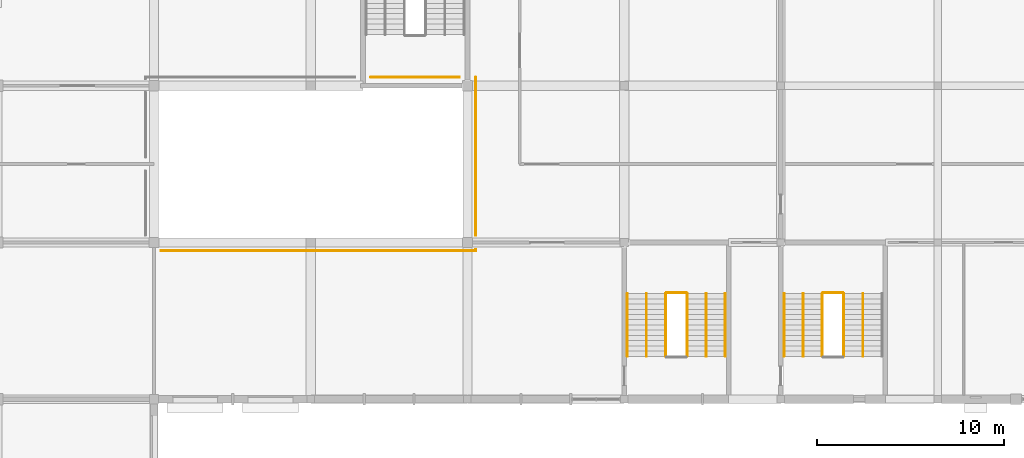
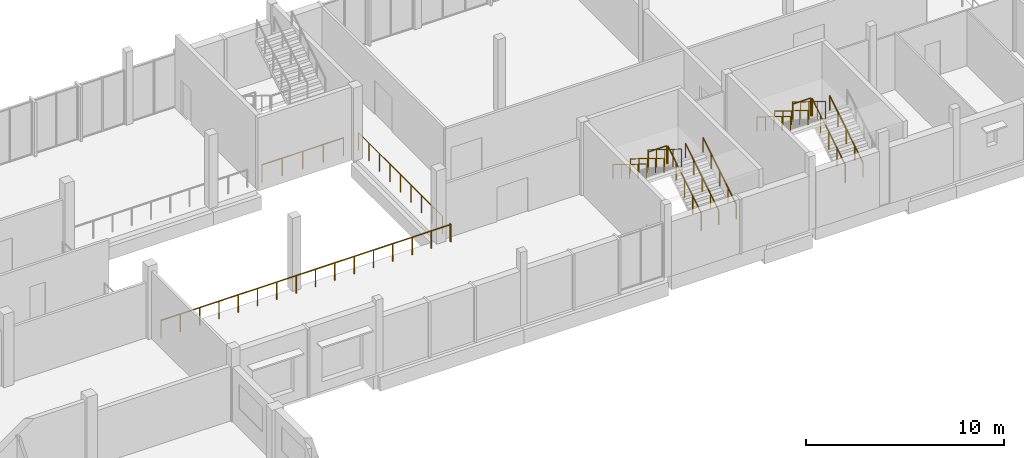
# One storey, part 112 of 116: 16 railings.
"""IFC4 building model written with IfcOpenShell, lengths in metres."""

import ifcopenshell
import ifcopenshell.guid

model = None  # the IFC model being written
_history = None  # IfcOwnerHistory: only IFC2X3 demands one
_inside = {}  # id of a spatial element -> (the spatial element, [elements in it])
_under = {}  # id of a project, library or spatial element -> (it, [spatial elements below it])
_declared = {}  # id of a project -> (the project, [libraries it declares])
_typed = {}  # id of a type object -> (the type object, [elements of that type])
_made_of = {}  # id of a material, layer set ... -> (it, [elements and type objects made of it])


def new_model(schema):
    """Start an empty IFC model of exactly this schema.

    Asked for "IFC4X3", IfcOpenShell would pick the latest addendum, in which some entities
    have other attributes; the version numbers below select the first issue.
    IFC2X3 requires an IfcOwnerHistory on every rooted entity: one is made here for all.
    """
    global model, _history
    if schema == "IFC4X3":
        model = ifcopenshell.file(schema_version=(4, 3, 0, 0))
    else:
        model = ifcopenshell.file(schema=schema)
    _inside.clear()
    _under.clear()
    _declared.clear()
    _typed.clear()
    _made_of.clear()
    _history = None
    if model.schema == "IFC2X3":
        org = make("IfcOrganization", Name="unknown")
        user = make(
            "IfcPersonAndOrganization",
            ThePerson=make("IfcPerson", FamilyName="unknown"),
            TheOrganization=org,
        )
        app = make(
            "IfcApplication",
            ApplicationDeveloper=org,
            Version="unknown",
            ApplicationFullName="unknown",
            ApplicationIdentifier="unknown",
        )
        _history = make(
            "IfcOwnerHistory",
            OwningUser=user,
            OwningApplication=app,
            ChangeAction="ADDED",
            CreationDate=0,
        )
    return model


def make(cls, **values):
    """One entity of the class cls with the attributes given. An attribute that is None is left unset."""
    return model.create_entity(
        cls, **{name: value for name, value in values.items() if value is not None}
    )


def rooted(cls, **values):
    """An entity with a GlobalId (a new one), such as an element, a storey or a relation."""
    return make(cls, GlobalId=ifcopenshell.guid.new(), OwnerHistory=_history, **values)


def si_unit(unit_type, name, prefix=None):
    """IfcSIUnit, for example si_unit("LENGTHUNIT", "METRE", prefix="MILLI")."""
    return make("IfcSIUnit", UnitType=unit_type, Prefix=prefix, Name=name)


def assignment(units):
    """IfcUnitAssignment: the units of a project."""
    return None if units is None else make("IfcUnitAssignment", Units=units)


def point(xyz):
    """IfcCartesianPoint."""
    return None if xyz is None else make("IfcCartesianPoint", Coordinates=xyz)


def direction(xyz):
    """IfcDirection."""
    return None if xyz is None else make("IfcDirection", DirectionRatios=xyz)


def frame(location, z_axis=None, x_axis=None):
    """IfcAxis2Placement3D, a coordinate frame: its origin and axes. An axis left out is left unset."""
    return make(
        "IfcAxis2Placement3D",
        Location=point(location),
        Axis=direction(z_axis),
        RefDirection=direction(x_axis),
    )


def frame_2d(location, x_axis=None):
    """IfcAxis2Placement2D, a coordinate frame in the plane: its origin and x axis."""
    return make(
        "IfcAxis2Placement2D", Location=point(location), RefDirection=direction(x_axis)
    )


def origin():
    """The frame at (0, 0, 0) with its axes left unset."""
    return frame((0.0, 0.0, 0.0))


def origin_2d():
    """The frame at (0, 0) in the plane with its x axis left unset."""
    return frame_2d((0.0, 0.0))


def place(relative_to, where):
    """IfcLocalPlacement: puts the frame where relative to a parent placement (None: the world)."""
    return make(
        "IfcLocalPlacement", PlacementRelTo=relative_to, RelativePlacement=where
    )


def context(
    kind, dimensions, precision=None, world=None, true_north=None, identifier=None
):
    """IfcGeometricRepresentationContext, for example the 3D "Model" context."""
    return make(
        "IfcGeometricRepresentationContext",
        ContextIdentifier=identifier,
        ContextType=kind,
        CoordinateSpaceDimension=dimensions,
        Precision=precision,
        WorldCoordinateSystem=world,
        TrueNorth=true_north,
    )


def subcontext(parent, identifier, kind, view, scale=None):
    """IfcGeometricRepresentationSubContext, for example "Body" below "Model"."""
    return make(
        "IfcGeometricRepresentationSubContext",
        ContextIdentifier=identifier,
        ContextType=kind,
        ParentContext=parent,
        TargetScale=scale,
        TargetView=view,
    )


def project(units=None, contexts=None):
    """IfcProject with its units and contexts."""
    return rooted(
        "IfcProject",
        Name="project",
        RepresentationContexts=contexts,
        UnitsInContext=assignment(units),
    )


def spatial(cls, under=None, at=None, **own):
    """A site, building, storey or space (cls), placed at a placement, below another one or the project."""
    s = rooted(cls, ObjectPlacement=at, **own)
    if under is not None:
        _under.setdefault(under.id(), (under, []))[1].append(s)
    return s


def profile(cls, at=None, kind="AREA", **sizes):
    """A parametric profile (cls). Its sizes go by their IFC names, for example OverallWidth=200.0."""
    return make(cls, ProfileType=kind, Position=at, **sizes)


def circle(**sizes):
    """IfcCircleProfileDef."""
    return profile("IfcCircleProfileDef", **sizes)


def extrude(swept, where, along, depth):
    """IfcExtrudedAreaSolid: the profile swept, set in the frame where, extruded along a direction by depth."""
    return make(
        "IfcExtrudedAreaSolid",
        SweptArea=swept,
        Position=where,
        ExtrudedDirection=direction(along),
        Depth=depth,
    )


def shape(context_of_items, identifier, shape_type, items):
    """IfcShapeRepresentation: the items that make up one representation, for example the "Body"."""
    return make(
        "IfcShapeRepresentation",
        ContextOfItems=context_of_items,
        RepresentationIdentifier=identifier,
        RepresentationType=shape_type,
        Items=items,
    )


def material(Name=None, Category=None):
    """IfcMaterial."""
    return make("IfcMaterial", Name=Name, Category=Category)


def made_of(thing, what):
    """Note that an element or type object is made of a material, layer set ...; save() writes the relation."""
    if what is not None:
        _made_of.setdefault(what.id(), (what, []))[1].append(thing)
    return thing


def type_object(cls, material=None, **own):
    """A type object (cls), such as IfcWallType, which elements share."""
    return made_of(rooted(cls, **own), material)


def element(
    cls,
    number,
    at=None,
    inside=None,
    cuts=None,
    type_object=None,
    material=None,
    context=None,
    identifier="Body",
    shape_type=None,
    held_by="IfcProductDefinitionShape",
    body=None,
    shapes=None,
    **own,
):
    """One element of the class cls, such as IfcWall. Its Tag is "e" and its number.

    at: its placement. inside: the storey or other place that contains it. cuts: it is an
    opening in that element (IfcRelVoidsElement). A single representation is given by context,
    identifier, shape_type and body (its items); several are given by shapes. held_by: the class
    of the entity that holds the representations. save() writes the other relations.
    """
    e = rooted(cls, Tag="e%d" % number, ObjectPlacement=at, **own)
    if body is not None:
        shapes = [shape(context, identifier, shape_type, body)]
    if shapes is not None:
        e.Representation = make(held_by, Representations=shapes)
    if inside is not None:
        _inside.setdefault(inside.id(), (inside, []))[1].append(e)
    if cuts is not None:
        rooted(
            "IfcRelVoidsElement", RelatingBuildingElement=cuts, RelatedOpeningElement=e
        )
    if type_object is not None:
        _typed.setdefault(type_object.id(), (type_object, []))[1].append(e)
    return made_of(e, material)


def aggregate(whole, parts):
    """IfcRelAggregates: a whole, such as a stair, and the parts it consists of."""
    return rooted("IfcRelAggregates", RelatingObject=whole, RelatedObjects=parts)


def save(model, path):
    """Write the relations noted so far, then the file.

    IfcRelAggregates (storeys below a building ...), IfcRelContainedInSpatialStructure (elements
    in a storey), IfcRelDefinesByType, IfcRelAssociatesMaterial and IfcRelDeclares: one each for
    every whole, place, type object, material and project.
    """
    for whole, parts in _under.values():
        aggregate(whole, parts)
    for where, things in _inside.values():
        rooted(
            "IfcRelContainedInSpatialStructure",
            RelatedElements=things,
            RelatingStructure=where,
        )
    for kind, things in _typed.values():
        rooted("IfcRelDefinesByType", RelatedObjects=things, RelatingType=kind)
    for what, things in _made_of.values():
        rooted("IfcRelAssociatesMaterial", RelatedObjects=things, RelatingMaterial=what)
    for by, libraries in _declared.values():
        rooted("IfcRelDeclares", RelatingContext=by, RelatedDefinitions=libraries)
    model.write(path)


model = new_model("IFC4")

# Units and contexts
model_context = context("Model", 3, precision=1e-05, world=origin(), true_north=direction((0.0, 1.0)))
body_context = subcontext(model_context, "Body", "Model", "MODEL_VIEW")
ifc_project = project(units=[si_unit("LENGTHUNIT", "METRE"), si_unit("AREAUNIT", "SQUARE_METRE"), si_unit("VOLUMEUNIT", "CUBIC_METRE"), si_unit("PLANEANGLEUNIT", "RADIAN"), si_unit("MASSUNIT", "GRAM", prefix="KILO")], contexts=[model_context])

# Site, building, storey
site_placement = place(None, origin())
site = spatial("IfcSite", under=ifc_project, at=site_placement, CompositionType="ELEMENT")
building_placement = place(site_placement, origin())
building = spatial("IfcBuilding", under=site, at=building_placement, Name="Fescue Hill Polytechnic", CompositionType="ELEMENT")
storey_placement = place(building_placement, frame((0.0, 0.0, 13.5)))
storey = spatial("IfcBuildingStorey", under=building, at=storey_placement, Name="L03", CompositionType="ELEMENT", Elevation=13.5)

# Railings
ifc_material = material(Name="Steel 350W (350 MPa)", Category="steel")
railing_type_1 = type_object("IfcRailingType", Name="Stair guard steel 1100", PredefinedType="GUARDRAIL", material=ifc_material)
railing_1_placement = place(storey_placement, frame((53.77490234375, 111.5, 0.173095703125)))
element("IfcRailing", 1, at=railing_1_placement, inside=storey, type_object=railing_type_1, Name="L03 ST-V5-4 stair guard 1", PredefinedType="GUARDRAIL", context=body_context, shape_type="SweptSolid", body=[
    extrude(circle(Radius=0.02392578125, at=origin_2d()), frame((0.0, 0.0, 1.076171875), z_axis=(0.0, 0.850623216509, 0.525775754039), x_axis=(-1.0, 0.0, 0.0)), (0.0, 0.0, 1.0), 3.9501953125),
    extrude(circle(Radius=0.02099609375, at=origin_2d()), origin(), (0.0, 0.0, 1.0), 1.052001953125),
    extrude(circle(Radius=0.02099609375, at=origin_2d()), frame((0.0, 0.840087890625, 0.519287109375)), (0.0, 0.0, 1.0), 1.052001953125),
    extrude(circle(Radius=0.02099609375, at=origin_2d()), frame((0.0, 1.68017578125, 1.03857421875)), (0.0, 0.0, 1.0), 1.052001953125),
    extrude(circle(Radius=0.02099609375, at=origin_2d()), frame((0.0, 2.52001953125, 1.5576171875)), (0.0, 0.0, 1.0), 1.052001953125),
    extrude(circle(Radius=0.02099609375, at=origin_2d()), frame((0.0, 3.360107421875, 2.076904296875)), (0.0, 0.0, 1.0), 1.052001953125),
])
railing_2_placement = place(storey_placement, frame((53.72509765625, 114.909912109375, 2.25)))
element("IfcRailing", 2, at=railing_2_placement, inside=storey, type_object=railing_type_1, Name="L03 ST-V5-4 stair guard 2", PredefinedType="GUARDRAIL", context=body_context, shape_type="SweptSolid", body=[
    extrude(circle(Radius=0.02392578125, at=origin_2d()), frame((0.0, 0.0, 1.076171875), z_axis=(-1.0, 0.0, 0.0), x_axis=(0.0, -1.0, 0.0)), (0.0, 0.0, 1.0), 1.050048828125),
    extrude(circle(Radius=0.02099609375, at=origin_2d()), origin(), (0.0, 0.0, 1.0), 1.052001953125),
    extrude(circle(Radius=0.02099609375, at=origin_2d()), frame((-1.050048828125, 0.0, 0.0)), (0.0, 0.0, 1.0), 1.052001953125),
])
railing_3_placement = place(storey_placement, frame((52.625, 114.860107421875, 2.423095703125)))
element("IfcRailing", 3, at=railing_3_placement, inside=storey, type_object=railing_type_1, Name="L03 ST-V5-4 stair guard 3", PredefinedType="GUARDRAIL", context=body_context, shape_type="SweptSolid", body=[
    extrude(circle(Radius=0.02392578125, at=origin_2d()), frame((0.0, 0.0, 1.076171875), z_axis=(0.0, -0.850623216509, 0.525775754039), x_axis=(1.0, 0.0, 0.0)), (0.0, 0.0, 1.0), 3.9501953125),
    extrude(circle(Radius=0.02099609375, at=origin_2d()), origin(), (0.0, 0.0, 1.0), 1.052001953125),
    extrude(circle(Radius=0.02099609375, at=origin_2d()), frame((0.0, -0.840087890625, 0.519287109375)), (0.0, 0.0, 1.0), 1.052001953125),
    extrude(circle(Radius=0.02099609375, at=origin_2d()), frame((0.0, -1.68017578125, 1.03857421875)), (0.0, 0.0, 1.0), 1.052001953125),
    extrude(circle(Radius=0.02099609375, at=origin_2d()), frame((0.0, -2.52001953125, 1.5576171875)), (0.0, 0.0, 1.0), 1.052001953125),
    extrude(circle(Radius=0.02099609375, at=origin_2d()), frame((0.0, -3.360107421875, 2.076904296875)), (0.0, 0.0, 1.0), 1.052001953125),
])
railing_4_placement = place(storey_placement, frame((62.175048828125, 111.5, 0.173095703125)))
element("IfcRailing", 4, at=railing_4_placement, inside=storey, type_object=railing_type_1, Name="L03 ST-V4b-1 stair guard 1", PredefinedType="GUARDRAIL", context=body_context, shape_type="SweptSolid", body=[
    extrude(circle(Radius=0.02392578125, at=origin_2d()), frame((0.0, 0.0, 1.076171875), z_axis=(0.0, 0.850623216509, 0.525775754039), x_axis=(-1.0, 0.0, 0.0)), (0.0, 0.0, 1.0), 3.9501953125),
    extrude(circle(Radius=0.02099609375, at=origin_2d()), origin(), (0.0, 0.0, 1.0), 1.052001953125),
    extrude(circle(Radius=0.02099609375, at=origin_2d()), frame((0.0, 0.840087890625, 0.519287109375)), (0.0, 0.0, 1.0), 1.052001953125),
    extrude(circle(Radius=0.02099609375, at=origin_2d()), frame((0.0, 1.68017578125, 1.03857421875)), (0.0, 0.0, 1.0), 1.052001953125),
    extrude(circle(Radius=0.02099609375, at=origin_2d()), frame((0.0, 2.52001953125, 1.5576171875)), (0.0, 0.0, 1.0), 1.052001953125),
    extrude(circle(Radius=0.02099609375, at=origin_2d()), frame((0.0, 3.360107421875, 2.076904296875)), (0.0, 0.0, 1.0), 1.052001953125),
])
railing_5_placement = place(storey_placement, frame((62.125, 114.909912109375, 2.25)))
element("IfcRailing", 5, at=railing_5_placement, inside=storey, type_object=railing_type_1, Name="L03 ST-V4b-1 stair guard 2", PredefinedType="GUARDRAIL", context=body_context, shape_type="SweptSolid", body=[
    extrude(circle(Radius=0.02392578125, at=origin_2d()), frame((0.0, 0.0, 1.076171875), z_axis=(-1.0, 0.0, 0.0), x_axis=(0.0, -1.0, 0.0)), (0.0, 0.0, 1.0), 1.050048828125),
    extrude(circle(Radius=0.02099609375, at=origin_2d()), origin(), (0.0, 0.0, 1.0), 1.052001953125),
    extrude(circle(Radius=0.02099609375, at=origin_2d()), frame((-1.050048828125, 0.0, 0.0)), (0.0, 0.0, 1.0), 1.052001953125),
])
railing_6_placement = place(storey_placement, frame((61.02490234375, 114.860107421875, 2.423095703125)))
element("IfcRailing", 6, at=railing_6_placement, inside=storey, type_object=railing_type_1, Name="L03 ST-V4b-1 stair guard 3", PredefinedType="GUARDRAIL", context=body_context, shape_type="SweptSolid", body=[
    extrude(circle(Radius=0.02392578125, at=origin_2d()), frame((0.0, 0.0, 1.076171875), z_axis=(0.0, -0.850623216509, 0.525775754039), x_axis=(1.0, 0.0, 0.0)), (0.0, 0.0, 1.0), 3.9501953125),
    extrude(circle(Radius=0.02099609375, at=origin_2d()), origin(), (0.0, 0.0, 1.0), 1.052001953125),
    extrude(circle(Radius=0.02099609375, at=origin_2d()), frame((0.0, -0.840087890625, 0.519287109375)), (0.0, 0.0, 1.0), 1.052001953125),
    extrude(circle(Radius=0.02099609375, at=origin_2d()), frame((0.0, -1.68017578125, 1.03857421875)), (0.0, 0.0, 1.0), 1.052001953125),
    extrude(circle(Radius=0.02099609375, at=origin_2d()), frame((0.0, -2.52001953125, 1.5576171875)), (0.0, 0.0, 1.0), 1.052001953125),
    extrude(circle(Radius=0.02099609375, at=origin_2d()), frame((0.0, -3.360107421875, 2.076904296875)), (0.0, 0.0, 1.0), 1.052001953125),
])
railing_type_2 = type_object("IfcRailingType", Name="Stair handrail steel 900", PredefinedType="HANDRAIL", material=ifc_material)
railing_7_placement = place(storey_placement, frame((55.824951171875, 111.5, 0.173095703125)))
element("IfcRailing", 7, at=railing_7_placement, inside=storey, type_object=railing_type_2, Name="L03 ST-V5-4 stair handrail 1", PredefinedType="HANDRAIL", context=body_context, shape_type="SweptSolid", body=[
    extrude(circle(Radius=0.02392578125, at=origin_2d()), frame((0.0, 0.0, 0.8759765625), z_axis=(0.0, 0.850623216509, 0.525775754039), x_axis=(-1.0, 0.0, 0.0)), (0.0, 0.0, 1.0), 3.9501953125),
    extrude(circle(Radius=0.02099609375, at=origin_2d()), origin(), (0.0, 0.0, 1.0), 0.851806640625),
    extrude(circle(Radius=0.02099609375, at=origin_2d()), frame((0.0, 0.840087890625, 0.519287109375)), (0.0, 0.0, 1.0), 0.851806640625),
    extrude(circle(Radius=0.02099609375, at=origin_2d()), frame((0.0, 1.68017578125, 1.03857421875)), (0.0, 0.0, 1.0), 0.851806640625),
    extrude(circle(Radius=0.02099609375, at=origin_2d()), frame((0.0, 2.52001953125, 1.5576171875)), (0.0, 0.0, 1.0), 0.851806640625),
    extrude(circle(Radius=0.02099609375, at=origin_2d()), frame((0.0, 3.360107421875, 2.076904296875)), (0.0, 0.0, 1.0), 0.851806640625),
])
railing_8_placement = place(storey_placement, frame((50.574951171875, 114.860107421875, 2.423095703125)))
element("IfcRailing", 8, at=railing_8_placement, inside=storey, type_object=railing_type_2, Name="L03 ST-V5-4 stair handrail 2", PredefinedType="HANDRAIL", context=body_context, shape_type="SweptSolid", body=[
    extrude(circle(Radius=0.02392578125, at=origin_2d()), frame((0.0, 0.0, 0.8759765625), z_axis=(0.0, -0.850623216509, 0.525775754039), x_axis=(1.0, 0.0, 0.0)), (0.0, 0.0, 1.0), 3.9501953125),
    extrude(circle(Radius=0.02099609375, at=origin_2d()), origin(), (0.0, 0.0, 1.0), 0.851806640625),
    extrude(circle(Radius=0.02099609375, at=origin_2d()), frame((0.0, -0.840087890625, 0.519287109375)), (0.0, 0.0, 1.0), 0.851806640625),
    extrude(circle(Radius=0.02099609375, at=origin_2d()), frame((0.0, -1.68017578125, 1.03857421875)), (0.0, 0.0, 1.0), 0.851806640625),
    extrude(circle(Radius=0.02099609375, at=origin_2d()), frame((0.0, -2.52001953125, 1.5576171875)), (0.0, 0.0, 1.0), 0.851806640625),
    extrude(circle(Radius=0.02099609375, at=origin_2d()), frame((0.0, -3.360107421875, 2.076904296875)), (0.0, 0.0, 1.0), 0.851806640625),
])
railing_9_placement = place(storey_placement, frame((54.800048828125, 111.5, 0.173095703125)))
element("IfcRailing", 9, at=railing_9_placement, inside=storey, type_object=railing_type_2, Name="L03 ST-V5-4 stair handrail 3", PredefinedType="HANDRAIL", context=body_context, shape_type="SweptSolid", body=[
    extrude(circle(Radius=0.02392578125, at=origin_2d()), frame((0.0, 0.0, 0.8759765625), z_axis=(0.0, 0.850623216509, 0.525775754039), x_axis=(-1.0, 0.0, 0.0)), (0.0, 0.0, 1.0), 3.9501953125),
    extrude(circle(Radius=0.02099609375, at=origin_2d()), origin(), (0.0, 0.0, 1.0), 0.851806640625),
    extrude(circle(Radius=0.02099609375, at=origin_2d()), frame((0.0, 0.840087890625, 0.519287109375)), (0.0, 0.0, 1.0), 0.851806640625),
    extrude(circle(Radius=0.02099609375, at=origin_2d()), frame((0.0, 1.68017578125, 1.03857421875)), (0.0, 0.0, 1.0), 0.851806640625),
    extrude(circle(Radius=0.02099609375, at=origin_2d()), frame((0.0, 2.52001953125, 1.5576171875)), (0.0, 0.0, 1.0), 0.851806640625),
    extrude(circle(Radius=0.02099609375, at=origin_2d()), frame((0.0, 3.360107421875, 2.076904296875)), (0.0, 0.0, 1.0), 0.851806640625),
])
for number, where, name in (
    (10, (51.60009765625, 114.860107421875, 2.423095703125), "L03 ST-V5-4 stair handrail 4"),
    (11, (58.97509765625, 114.860107421875, 2.423095703125), "L03 ST-V4b-1 stair handrail 2"),
):
    element("IfcRailing", number, at=place(storey_placement, frame(where)), inside=storey, type_object=railing_type_2, Name=name, PredefinedType="HANDRAIL", context=body_context, shape_type="SweptSolid", body=[
        extrude(circle(Radius=0.02392578125, at=origin_2d()), frame((0.0, 0.0, 0.8759765625), z_axis=(0.0, -0.850623216509, 0.525775754039), x_axis=(1.0, 0.0, 0.0)), (0.0, 0.0, 1.0), 3.9501953125),
        extrude(circle(Radius=0.02099609375, at=origin_2d()), origin(), (0.0, 0.0, 1.0), 0.851806640625),
        extrude(circle(Radius=0.02099609375, at=origin_2d()), frame((0.0, -0.840087890625, 0.519287109375)), (0.0, 0.0, 1.0), 0.851806640625),
        extrude(circle(Radius=0.02099609375, at=origin_2d()), frame((0.0, -1.68017578125, 1.03857421875)), (0.0, 0.0, 1.0), 0.851806640625),
        extrude(circle(Radius=0.02099609375, at=origin_2d()), frame((0.0, -2.52001953125, 1.5576171875)), (0.0, 0.0, 1.0), 0.851806640625),
        extrude(circle(Radius=0.02099609375, at=origin_2d()), frame((0.0, -3.360107421875, 2.076904296875)), (0.0, 0.0, 1.0), 0.851806640625),
    ])
railing_10_placement = place(storey_placement, frame((63.199951171875, 111.5, 0.173095703125)))
element("IfcRailing", 12, at=railing_10_placement, inside=storey, type_object=railing_type_2, Name="L03 ST-V4b-1 stair handrail 3", PredefinedType="HANDRAIL", context=body_context, shape_type="SweptSolid", body=[
    extrude(circle(Radius=0.02392578125, at=origin_2d()), frame((0.0, 0.0, 0.8759765625), z_axis=(0.0, 0.850623216509, 0.525775754039), x_axis=(-1.0, 0.0, 0.0)), (0.0, 0.0, 1.0), 3.9501953125),
    extrude(circle(Radius=0.02099609375, at=origin_2d()), origin(), (0.0, 0.0, 1.0), 0.851806640625),
    extrude(circle(Radius=0.02099609375, at=origin_2d()), frame((0.0, 0.840087890625, 0.519287109375)), (0.0, 0.0, 1.0), 0.851806640625),
    extrude(circle(Radius=0.02099609375, at=origin_2d()), frame((0.0, 1.68017578125, 1.03857421875)), (0.0, 0.0, 1.0), 0.851806640625),
    extrude(circle(Radius=0.02099609375, at=origin_2d()), frame((0.0, 2.52001953125, 1.5576171875)), (0.0, 0.0, 1.0), 0.851806640625),
    extrude(circle(Radius=0.02099609375, at=origin_2d()), frame((0.0, 3.360107421875, 2.076904296875)), (0.0, 0.0, 1.0), 0.851806640625),
])
railing_11_placement = place(storey_placement, frame((60.0, 114.860107421875, 2.423095703125)))
element("IfcRailing", 13, at=railing_11_placement, inside=storey, type_object=railing_type_2, Name="L03 ST-V4b-1 stair handrail 4", PredefinedType="HANDRAIL", context=body_context, shape_type="SweptSolid", body=[
    extrude(circle(Radius=0.02392578125, at=origin_2d()), frame((0.0, 0.0, 0.8759765625), z_axis=(0.0, -0.850623216509, 0.525775754039), x_axis=(1.0, 0.0, 0.0)), (0.0, 0.0, 1.0), 3.9501953125),
    extrude(circle(Radius=0.02099609375, at=origin_2d()), origin(), (0.0, 0.0, 1.0), 0.851806640625),
    extrude(circle(Radius=0.02099609375, at=origin_2d()), frame((0.0, -0.840087890625, 0.519287109375)), (0.0, 0.0, 1.0), 0.851806640625),
    extrude(circle(Radius=0.02099609375, at=origin_2d()), frame((0.0, -1.68017578125, 1.03857421875)), (0.0, 0.0, 1.0), 0.851806640625),
    extrude(circle(Radius=0.02099609375, at=origin_2d()), frame((0.0, -2.52001953125, 1.5576171875)), (0.0, 0.0, 1.0), 0.851806640625),
    extrude(circle(Radius=0.02099609375, at=origin_2d()), frame((0.0, -3.360107421875, 2.076904296875)), (0.0, 0.0, 1.0), 0.851806640625),
])
railing_type_3 = type_object("IfcRailingType", Name="Void edge guard steel 1100", PredefinedType="GUARDRAIL", material=ifc_material)
railing_12_placement = place(storey_placement, frame((42.449951171875, 126.449951171875, 0.0)))
element("IfcRailing", 14, at=railing_12_placement, inside=storey, type_object=railing_type_3, Name="L03 V5 void edge guard 1", PredefinedType="GUARDRAIL", context=body_context, shape_type="SweptSolid", body=[
    extrude(circle(Radius=0.02392578125, at=origin_2d()), frame((0.0, 0.0, 1.076171875), z_axis=(0.0, -1.0, 0.0), x_axis=(1.0, 0.0, 0.0)), (0.0, 0.0, 1.0), 8.474853515625),
    extrude(circle(Radius=0.02099609375, at=origin_2d()), origin(), (0.0, 0.0, 1.0), 1.052001953125),
    extrude(circle(Radius=0.02099609375, at=origin_2d()), frame((0.0, -1.059326171875, 0.0)), (0.0, 0.0, 1.0), 1.052001953125),
    extrude(circle(Radius=0.02099609375, at=origin_2d()), frame((0.0, -2.11865234375, 0.0)), (0.0, 0.0, 1.0), 1.052001953125),
    extrude(circle(Radius=0.02099609375, at=origin_2d()), frame((0.0, -3.177978515625, 0.0)), (0.0, 0.0, 1.0), 1.052001953125),
    extrude(circle(Radius=0.02099609375, at=origin_2d()), frame((0.0, -4.2373046875, 0.0)), (0.0, 0.0, 1.0), 1.052001953125),
    extrude(circle(Radius=0.02099609375, at=origin_2d()), frame((0.0, -5.296875, 0.0)), (0.0, 0.0, 1.0), 1.052001953125),
    extrude(circle(Radius=0.02099609375, at=origin_2d()), frame((0.0, -6.356201171875, 0.0)), (0.0, 0.0, 1.0), 1.052001953125),
    extrude(circle(Radius=0.02099609375, at=origin_2d()), frame((0.0, -7.41552734375, 0.0)), (0.0, 0.0, 1.0), 1.052001953125),
    extrude(circle(Radius=0.02099609375, at=origin_2d()), frame((0.0, -8.474853515625, 0.0)), (0.0, 0.0, 1.0), 1.052001953125),
])
railing_13_placement = place(storey_placement, frame((42.449951171875, 117.22509765625, 0.0)))
element("IfcRailing", 15, at=railing_13_placement, inside=storey, type_object=railing_type_3, Name="L03 V5 void edge guard 2", PredefinedType="GUARDRAIL", context=body_context, shape_type="SweptSolid", body=[
    extrude(circle(Radius=0.02392578125, at=origin_2d()), frame((0.0, 0.0, 1.076171875), z_axis=(0.0, -1.0, 0.0), x_axis=(1.0, 0.0, 0.0)), (0.0, 0.0, 1.0), 0.0751953125),
    extrude(circle(Radius=0.02392578125, at=origin_2d()), frame((0.0, -0.0751953125, 1.076171875), z_axis=(-1.0, 0.0, 0.0), x_axis=(0.0, -1.0, 0.0)), (0.0, 0.0, 1.0), 16.875),
    extrude(circle(Radius=0.02099609375, at=origin_2d()), origin(), (0.0, 0.0, 1.0), 1.052001953125),
    extrude(circle(Radius=0.02099609375, at=origin_2d()), frame((0.0, -0.0751953125, 0.0)), (0.0, 0.0, 1.0), 1.052001953125),
    extrude(circle(Radius=0.02099609375, at=origin_2d()), frame((-1.125, -0.0751953125, 0.0)), (0.0, 0.0, 1.0), 1.052001953125),
    extrude(circle(Radius=0.02099609375, at=origin_2d()), frame((-2.25, -0.0751953125, 0.0)), (0.0, 0.0, 1.0), 1.052001953125),
    extrude(circle(Radius=0.02099609375, at=origin_2d()), frame((-3.375, -0.0751953125, 0.0)), (0.0, 0.0, 1.0), 1.052001953125),
    extrude(circle(Radius=0.02099609375, at=origin_2d()), frame((-4.5, -0.0751953125, 0.0)), (0.0, 0.0, 1.0), 1.052001953125),
    extrude(circle(Radius=0.02099609375, at=origin_2d()), frame((-5.625, -0.0751953125, 0.0)), (0.0, 0.0, 1.0), 1.052001953125),
    extrude(circle(Radius=0.02099609375, at=origin_2d()), frame((-6.75, -0.0751953125, 0.0)), (0.0, 0.0, 1.0), 1.052001953125),
    extrude(circle(Radius=0.02099609375, at=origin_2d()), frame((-7.875, -0.0751953125, 0.0)), (0.0, 0.0, 1.0), 1.052001953125),
    extrude(circle(Radius=0.02099609375, at=origin_2d()), frame((-9.0, -0.0751953125, 0.0)), (0.0, 0.0, 1.0), 1.052001953125),
    extrude(circle(Radius=0.02099609375, at=origin_2d()), frame((-10.125, -0.0751953125, 0.0)), (0.0, 0.0, 1.0), 1.052001953125),
    extrude(circle(Radius=0.02099609375, at=origin_2d()), frame((-11.25, -0.0751953125, 0.0)), (0.0, 0.0, 1.0), 1.052001953125),
    extrude(circle(Radius=0.02099609375, at=origin_2d()), frame((-12.375, -0.0751953125, 0.0)), (0.0, 0.0, 1.0), 1.052001953125),
    extrude(circle(Radius=0.02099609375, at=origin_2d()), frame((-13.5, -0.0751953125, 0.0)), (0.0, 0.0, 1.0), 1.052001953125),
    extrude(circle(Radius=0.02099609375, at=origin_2d()), frame((-14.625, -0.0751953125, 0.0)), (0.0, 0.0, 1.0), 1.052001953125),
    extrude(circle(Radius=0.02099609375, at=origin_2d()), frame((-15.75, -0.0751953125, 0.0)), (0.0, 0.0, 1.0), 1.052001953125),
    extrude(circle(Radius=0.02099609375, at=origin_2d()), frame((-16.875, -0.0751953125, 0.0)), (0.0, 0.0, 1.0), 1.052001953125),
])
railing_14_placement = place(storey_placement, frame((36.824951171875, 126.449951171875, 0.0)))
element("IfcRailing", 16, at=railing_14_placement, inside=storey, type_object=railing_type_3, Name="L03 V5 void edge guard 6", PredefinedType="GUARDRAIL", context=body_context, shape_type="SweptSolid", body=[
    extrude(circle(Radius=0.02392578125, at=origin_2d()), frame((0.0, 0.0, 1.076171875), z_axis=(1.0, 0.0, 0.0), x_axis=(0.0, 1.0, 0.0)), (0.0, 0.0, 1.0), 4.75),
    extrude(circle(Radius=0.02099609375, at=origin_2d()), origin(), (0.0, 0.0, 1.0), 1.052001953125),
    extrude(circle(Radius=0.02099609375, at=origin_2d()), frame((1.1875, 0.0, 0.0)), (0.0, 0.0, 1.0), 1.052001953125),
    extrude(circle(Radius=0.02099609375, at=origin_2d()), frame((2.375, 0.0, 0.0)), (0.0, 0.0, 1.0), 1.052001953125),
    extrude(circle(Radius=0.02099609375, at=origin_2d()), frame((3.5625, 0.0, 0.0)), (0.0, 0.0, 1.0), 1.052001953125),
    extrude(circle(Radius=0.02099609375, at=origin_2d()), frame((4.75, 0.0, 0.0)), (0.0, 0.0, 1.0), 1.052001953125),
])

save(model, "model.ifc")
